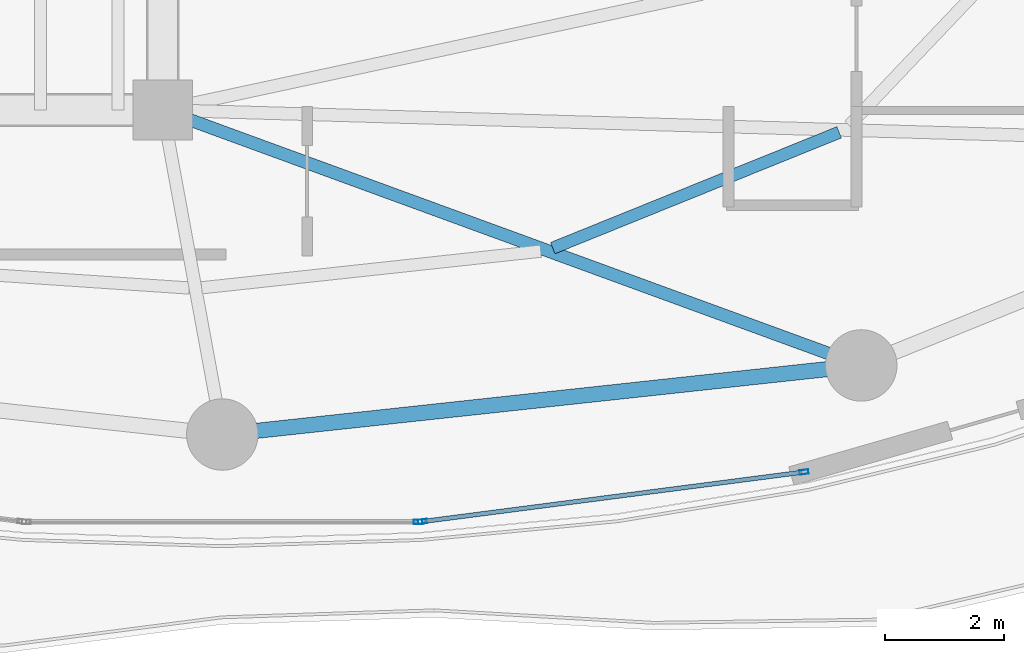
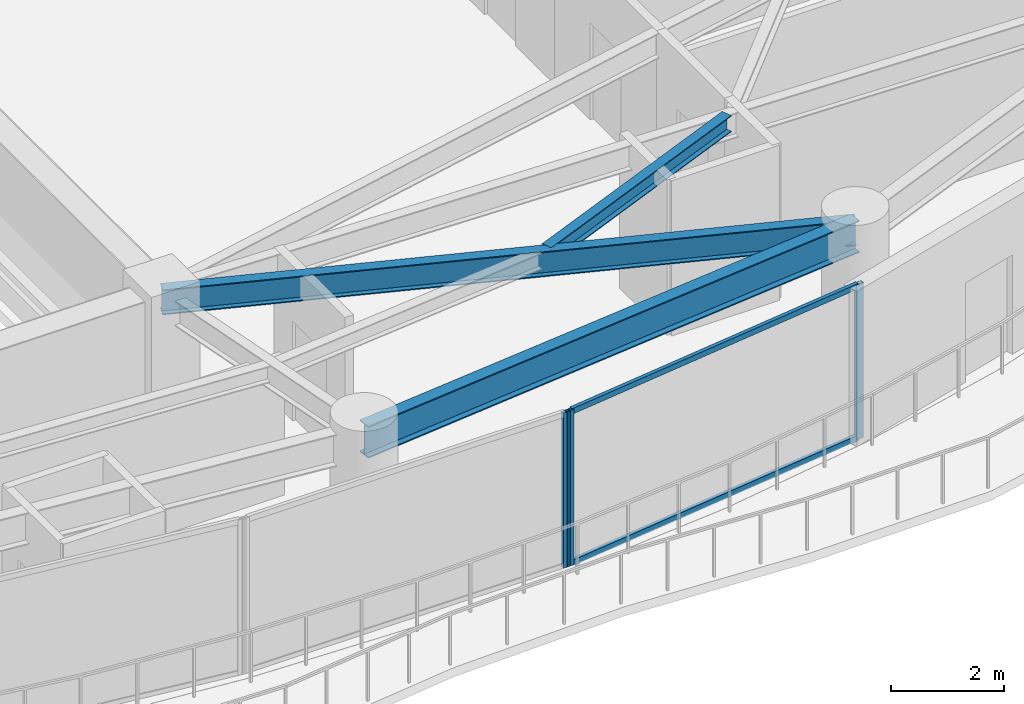
# One storey, part 9 of 28: 5 members, 3 beams, 2 elements without a shape of their own.
"""IFC4 building model written with IfcOpenShell, lengths in metres."""

from ifc_helpers import new_model, si_unit, direction, frame, origin, origin_2d, place, context, subcontext, project, spatial, hollow_rectangle, i_section, extrude, material, layer, layer_set, material_profile, profile_set, type_object, element, aggregate, save


model = new_model("IFC4")

# Units and contexts
model_context = context("Model", 3, precision=1e-05, world=origin(), true_north=direction((0.0, 1.0)))
body_context = subcontext(model_context, "Body", "Model", "MODEL_VIEW")
ifc_project = project(units=[si_unit("LENGTHUNIT", "METRE"), si_unit("AREAUNIT", "SQUARE_METRE"), si_unit("VOLUMEUNIT", "CUBIC_METRE"), si_unit("PLANEANGLEUNIT", "RADIAN"), si_unit("MASSUNIT", "GRAM", prefix="KILO")], contexts=[model_context])

# Site, building, storey
site_placement = place(None, origin())
site = spatial("IfcSite", under=ifc_project, at=site_placement, CompositionType="ELEMENT")
building_placement = place(site_placement, origin())
building = spatial("IfcBuilding", under=site, at=building_placement, Name="Kazevale Care Tower and Concert Hall", CompositionType="ELEMENT")
storey_placement = place(building_placement, frame((0.0, 0.0, 138.60009765625)))
storey = spatial("IfcBuildingStorey", under=building, at=storey_placement, Name="L36", CompositionType="ELEMENT", Elevation=138.60009765625)

# Curtain wall, members
ifc_material_1 = material(Name="Aluminium 6063-T6 and Low-E Glass", Category="aluminium")
ifc_layer = layer(ifc_material_1, 0.179931640625)
ifc_layer_set = layer_set([ifc_layer], Name="Aluminium 6063-T6 and Low-E Glass")
curtain_wall_type = type_object("IfcCurtainWallType", Name="Sheltered Concave Balcony Curtain Wall CW-5", PredefinedType="NOTDEFINED", material=ifc_layer_set)
curtain_wall_1_placement = place(storey_placement, origin())
curtain_wall_1 = element("IfcCurtainWall", 1, at=curtain_wall_1_placement, inside=storey, type_object=curtain_wall_type, Name="cw:L36:f05", PredefinedType="NOTDEFINED")
ifc_material_2 = material(Name="Aluminium 6063-T6", Category="aluminium")
ifc_material_profile_1 = material_profile(ifc_material_2, hollow_rectangle(XDim=0.074951171875, YDim=0.14990234375, WallThickness=0.00390625, at=origin_2d()), Name="ALU75x150x4")
ifc_profile_set_1 = profile_set([ifc_material_profile_1], Name="Aluminium 6063-T6")
member_type_1 = type_object("IfcMemberType", Name="CW-5 Mullion ALU75x150x4", PredefinedType="MULLION", material=ifc_profile_set_1)
member_1_placement = place(storey_placement, frame((54.768798828125, 17.520263671875, 0.0), z_axis=(0.0, 0.0, 1.0), x_axis=(0.12868500567, -0.991685519364, 0.0)))
member_1 = element("IfcMember", 2, at=member_1_placement, type_object=member_type_1, Name="CW-5 mullion 1", PredefinedType="MULLION", context=body_context, shape_type="SweptSolid", body=[
    extrude(hollow_rectangle(XDim=0.074951171875, YDim=0.14990234375, WallThickness=0.00390625, at=origin_2d()), origin(), (0.0, 0.0, 1.0), 3.35986328125),
])
member_2_placement = place(storey_placement, frame((48.3623046875, 16.688720703125, 0.0), z_axis=(0.0, 0.0, 1.0), x_axis=(0.12868500567, -0.991685519364, 0.0)))
member_2 = element("IfcMember", 3, at=member_2_placement, type_object=member_type_1, Name="CW-5 mullion 2", PredefinedType="MULLION", context=body_context, shape_type="SweptSolid", body=[
    extrude(hollow_rectangle(XDim=0.074951171875, YDim=0.14990234375, WallThickness=0.00390625, at=origin_2d()), origin(), (0.0, 0.0, 1.0), 3.35986328125),
])

# Curtain wall, member
curtain_wall_2_placement = place(storey_placement, origin())
curtain_wall_2 = element("IfcCurtainWall", 4, at=curtain_wall_2_placement, inside=storey, type_object=curtain_wall_type, Name="cw:L36:f06", PredefinedType="NOTDEFINED")
member_3_placement = place(storey_placement, frame((48.28759765625, 16.68408203125, 0.0), z_axis=(0.0, 0.0, 1.0), x_axis=(0.0, -1.0, 0.0)))
member_3 = element("IfcMember", 5, at=member_3_placement, type_object=member_type_1, Name="CW-5 mullion 1", PredefinedType="MULLION", context=body_context, shape_type="SweptSolid", body=[
    extrude(hollow_rectangle(XDim=0.074951171875, YDim=0.14990234375, WallThickness=0.00390625, at=origin_2d()), origin(), (0.0, 0.0, 1.0), 3.35986328125),
])
aggregate(curtain_wall_2, [member_3])

# Member
ifc_material_profile_2 = material_profile(ifc_material_2, hollow_rectangle(XDim=0.074951171875, YDim=0.1201171875, WallThickness=0.00390625, at=origin_2d()), Name="ALU75x120x4")
ifc_profile_set_2 = profile_set([ifc_material_profile_2], Name="Aluminium 6063-T6")
member_type_2 = type_object("IfcMemberType", Name="CW-5 Transom ALU75x120x4", PredefinedType="USERDEFINED", material=ifc_profile_set_2)
member_4_placement = place(storey_placement, frame((54.731689453125, 17.515380859375, 0.037353515625), z_axis=(-0.991683991743, -0.12869677743, 0.0), x_axis=(0.12869677743, -0.991683991743, 0.0)))
member_4 = element("IfcMember", 6, at=member_4_placement, type_object=member_type_2, Name="CW-5 transom 1.1", ObjectType="TRANSOM", PredefinedType="USERDEFINED", context=body_context, shape_type="SweptSolid", body=[
    extrude(hollow_rectangle(XDim=0.074951171875, YDim=0.1201171875, WallThickness=0.00390625, at=origin_2d()), origin(), (0.0, 0.0, 1.0), 6.385498046875),
])

member_5_placement = place(storey_placement, frame((54.731689453125, 17.515380859375, 3.322509765625), z_axis=(-0.991683991743, -0.12869677743, 0.0), x_axis=(0.12869677743, -0.991683991743, 0.0)))
member_5 = element("IfcMember", 7, at=member_5_placement, type_object=member_type_2, Name="CW-5 transom 1.2", ObjectType="TRANSOM", PredefinedType="USERDEFINED", context=body_context, shape_type="SweptSolid", body=[
    extrude(hollow_rectangle(XDim=0.074951171875, YDim=0.1201171875, WallThickness=0.00390625, at=origin_2d()), origin(), (0.0, 0.0, 1.0), 6.385498046875),
])

aggregate(curtain_wall_1, [member_1, member_2, member_4, member_5])

# Beams
ifc_material_3 = material(Name="Steel ASTM A572 Gr 50", Category="steel")
ifc_material_profile_3 = material_profile(ifc_material_3, i_section(OverallWidth=0.2119140625, OverallDepth=0.5439453125, WebThickness=0.01318359375, FlangeThickness=0.021240234375, at=origin_2d()), Name="W530x123")
ifc_profile_set_3 = profile_set([ifc_material_profile_3], Name="Steel ASTM A572 Gr 50")
beam_type_1 = type_object("IfcBeamType", Name="Radial Floor Girder W530x123", PredefinedType="BEAM", material=ifc_profile_set_3)
beam_1_placement = place(storey_placement, frame((44.0, 23.60009765625, 3.087890625), z_axis=(0.939159459123, -0.343481455599, 0.0), x_axis=(0.343481455599, 0.939159459123, 0.0)))
element("IfcBeam", 8, at=beam_1_placement, inside=storey, type_object=beam_type_1, Name="beam:L36:rad:14", PredefinedType="BEAM", context=body_context, shape_type="SweptSolid", body=[
    extrude(i_section(OverallWidth=0.2119140625, OverallDepth=0.5439453125, WebThickness=0.01318359375, FlangeThickness=0.021240234375, at=origin_2d()), origin(), (0.0, 0.0, 1.0), 12.489990234375),
])
ifc_material_profile_4 = material_profile(ifc_material_3, i_section(OverallWidth=0.205078125, OverallDepth=0.35400390625, WebThickness=0.009521484375, FlangeThickness=0.016845703125, at=origin_2d()), Name="W360x79")
ifc_profile_set_4 = profile_set([ifc_material_profile_4], Name="Steel ASTM A572 Gr 50")
beam_type_2 = type_object("IfcBeamType", Name="Secondary Floor Joist W360x79", PredefinedType="JOIST", material=ifc_profile_set_4)
beam_2_placement = place(storey_placement, frame((50.549072265625, 21.280029296875, 3.182861328125), z_axis=(0.927064833216, 0.374901046964, 0.0), x_axis=(-0.374901046964, 0.927064833216, 0.0)))
element("IfcBeam", 9, at=beam_2_placement, inside=storey, type_object=beam_type_2, Name="beam:L36:joist:14", PredefinedType="JOIST", context=body_context, shape_type="SweptSolid", body=[
    extrude(i_section(OverallWidth=0.205078125, OverallDepth=0.35400390625, WebThickness=0.009521484375, FlangeThickness=0.016845703125, at=origin_2d()), origin(), (0.0, 0.0, 1.0), 5.188232421875),
])
ifc_material_profile_5 = material_profile(ifc_material_3, i_section(OverallWidth=0.256103515625, OverallDepth=0.693115234375, WebThickness=0.014404296875, FlangeThickness=0.023681640625, at=origin_2d()), Name="W690x170")
ifc_profile_set_5 = profile_set([ifc_material_profile_5], Name="Steel ASTM A572 Gr 50")
beam_type_3 = type_object("IfcBeamType", Name="Waist Ring Beam W690x170", PredefinedType="BEAM", material=ifc_profile_set_5)
beam_3_placement = place(storey_placement, frame((45.0, 18.14990234375, 3.013427734375), z_axis=(0.994205479487, 0.107496346724, 0.0), x_axis=(-0.107496346724, 0.994205479487, 0.0)))
element("IfcBeam", 10, at=beam_3_placement, inside=storey, type_object=beam_type_3, Name="beam:L36:ring:13", PredefinedType="BEAM", context=body_context, shape_type="SweptSolid", body=[
    extrude(i_section(OverallWidth=0.256103515625, OverallDepth=0.693115234375, WebThickness=0.014404296875, FlangeThickness=0.023681640625, at=origin_2d()), origin(), (0.0, 0.0, 1.0), 10.79248046875),
])

save(model, "model.ifc")
